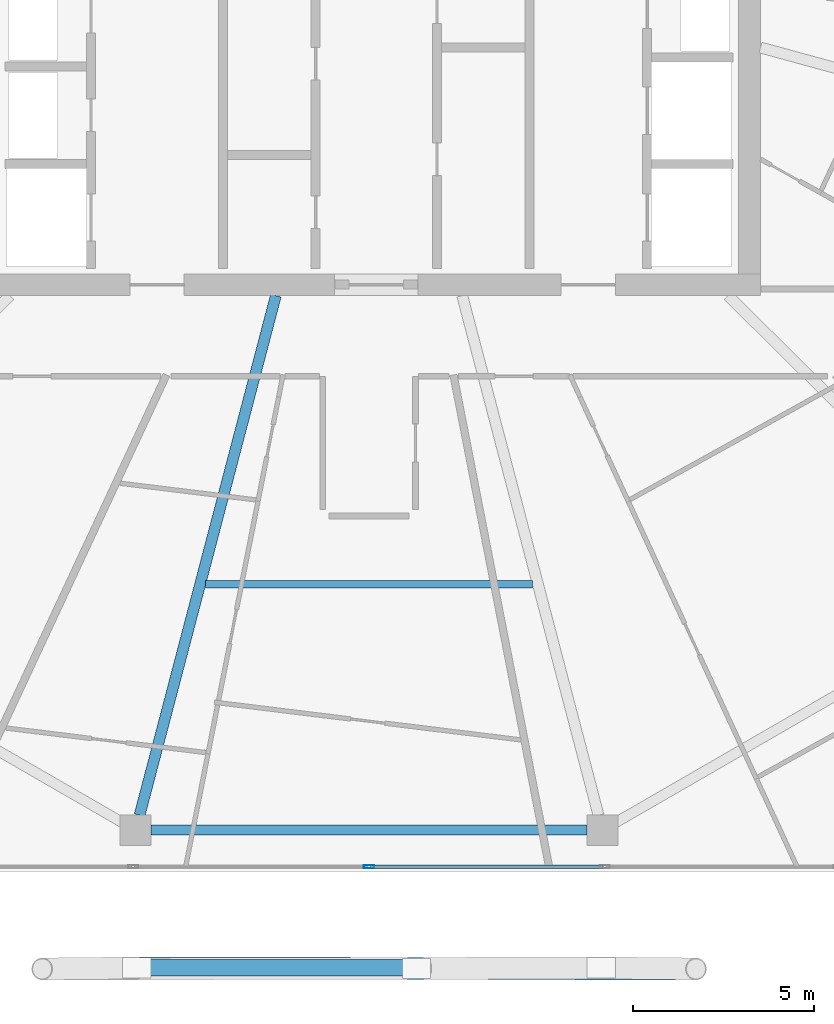
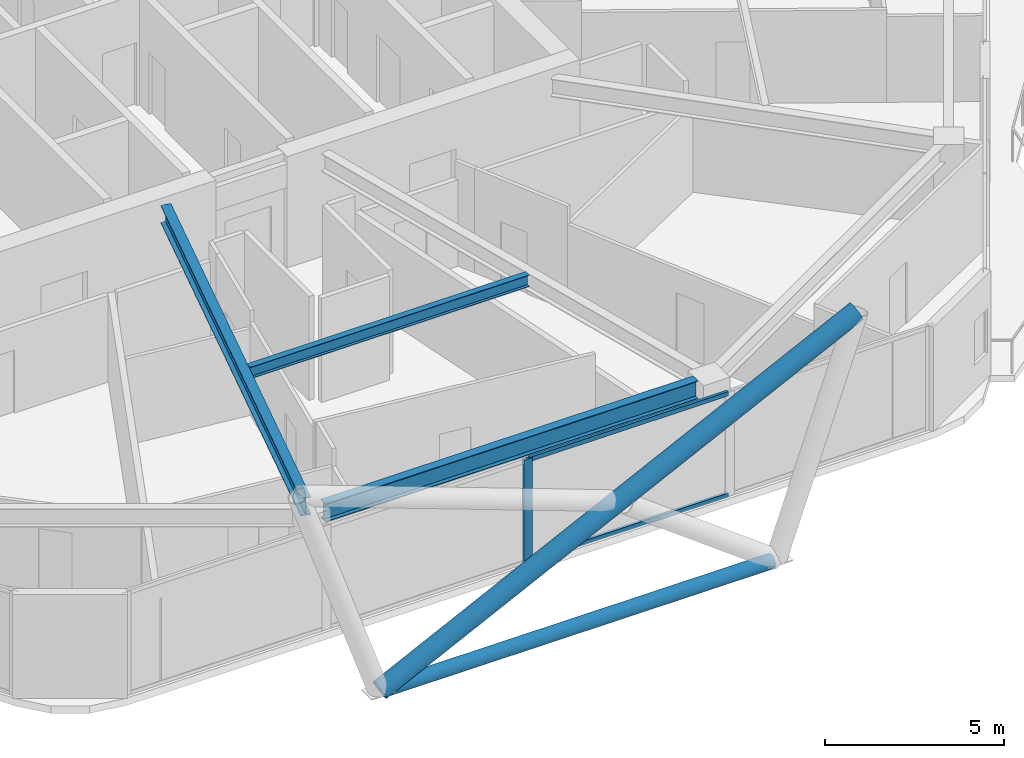
# One storey, part 4 of 29: 5 members, 3 beams, 1 element without a shape of its own.
"""IFC4 building model written with IfcOpenShell, lengths in metres."""

from ifc_helpers import new_model, si_unit, direction, frame, origin, origin_2d, place, context, subcontext, project, spatial, hollow_rectangle, hollow_circle, i_section, extrude, material, material_profile, profile_set, type_object, element, aggregate, save


model = new_model("IFC4")

# Units and contexts
model_context = context("Model", 3, precision=1e-05, world=origin(), true_north=direction((0.0, 1.0)))
body_context = subcontext(model_context, "Body", "Model", "MODEL_VIEW")
ifc_project = project(units=[si_unit("LENGTHUNIT", "METRE"), si_unit("AREAUNIT", "SQUARE_METRE"), si_unit("VOLUMEUNIT", "CUBIC_METRE"), si_unit("PLANEANGLEUNIT", "RADIAN"), si_unit("MASSUNIT", "GRAM", prefix="KILO")], contexts=[model_context])

# Site, building, storey
site_placement = place(None, origin())
site = spatial("IfcSite", under=ifc_project, at=site_placement, CompositionType="ELEMENT")
building_placement = place(site_placement, origin())
building = spatial("IfcBuilding", under=site, at=building_placement, Name="Zuhravey Tower", CompositionType="ELEMENT")
storey_placement = place(building_placement, frame((0.0, 0.0, 269.199951171875)))
storey = spatial("IfcBuildingStorey", under=building, at=storey_placement, Name="L68", CompositionType="ELEMENT", Elevation=269.199951171875)

# Curtain wall, members
ifc_material_1 = material(Name="Thermally broken anodised aluminium", Category="aluminium")
curtain_wall_type = type_object("IfcCurtainWallType", Name="Zone 3-4 High-Rise Curtain Wall CW4", PredefinedType="NOTDEFINED", material=ifc_material_1)
curtain_wall_placement = place(storey_placement, origin())
curtain_wall = element("IfcCurtainWall", 1, at=curtain_wall_placement, inside=storey, type_object=curtain_wall_type, Name="L68 CW4 CW-L68-F5-1", PredefinedType="NOTDEFINED")
ifc_material_2 = material(Name="Anodised aluminium", Category="aluminium")
ifc_material_profile_1 = material_profile(ifc_material_2, hollow_rectangle(XDim=0.090087890625, YDim=0.284912109375, WallThickness=0.0048828125, at=origin_2d()), Name="ALU-RHS-90x285x5")
ifc_profile_set_1 = profile_set([ifc_material_profile_1], Name="Anodised aluminium")
member_type_1 = type_object("IfcMemberType", Name="Curtain-Wall Mullion 90x180", PredefinedType="MULLION", material=ifc_profile_set_1)
member_1_placement = place(storey_placement, frame((36.0, 6.436279296875, 0.0), z_axis=(0.0, 0.0, 1.0), x_axis=(0.0, -1.0, 0.0)))
member_1 = element("IfcMember", 2, at=member_1_placement, type_object=member_type_1, Name="CW4 mullion 3", PredefinedType="MULLION", context=body_context, shape_type="SweptSolid", body=[
    extrude(hollow_rectangle(XDim=0.090087890625, YDim=0.284912109375, WallThickness=0.0048828125, at=origin_2d()), origin(), (0.0, 0.0, 1.0), 3.550048828125),
])
ifc_material_profile_2 = material_profile(ifc_material_2, hollow_rectangle(XDim=0.090087890625, YDim=0.14990234375, WallThickness=0.0048828125, at=origin_2d()), Name="ALU-RHS-90x150x5")
ifc_profile_set_2 = profile_set([ifc_material_profile_2], Name="Anodised aluminium")
member_type_2 = type_object("IfcMemberType", Name="Curtain-Wall Transom 90x150", PredefinedType="USERDEFINED", material=ifc_profile_set_2)
member_2_placement = place(storey_placement, frame((42.46142578125, 6.436279296875, 0.045166015625), z_axis=(-1.0, 0.0, 0.0), x_axis=(0.0, -1.0, 0.0)))
member_2 = element("IfcMember", 3, at=member_2_placement, type_object=member_type_2, Name="CW4 transom 2.1", ObjectType="TRANSOM", PredefinedType="USERDEFINED", context=body_context, shape_type="SweptSolid", body=[
    extrude(hollow_rectangle(XDim=0.090087890625, YDim=0.14990234375, WallThickness=0.0048828125, at=origin_2d()), origin(), (0.0, 0.0, 1.0), 6.41650390625),
])
member_3_placement = place(storey_placement, frame((42.46142578125, 6.436279296875, 3.505126953125), z_axis=(-1.0, 0.0, 0.0), x_axis=(0.0, -1.0, 0.0)))
member_3 = element("IfcMember", 4, at=member_3_placement, type_object=member_type_2, Name="CW4 transom 2.2", ObjectType="TRANSOM", PredefinedType="USERDEFINED", context=body_context, shape_type="SweptSolid", body=[
    extrude(hollow_rectangle(XDim=0.090087890625, YDim=0.14990234375, WallThickness=0.0048828125, at=origin_2d()), origin(), (0.0, 0.0, 1.0), 6.41650390625),
])
aggregate(curtain_wall, [member_1, member_2, member_3])

# Members
ifc_material_3 = material(Name="Steel SM355", Category="steel")
ifc_material_profile_3 = material_profile(ifc_material_3, hollow_circle(Radius=0.228515625, WallThickness=0.02197265625, at=origin_2d()), Name="CHS-457.2x22")
ifc_profile_set_3 = profile_set([ifc_material_profile_3], Name="Steel SM355")
member_type_3 = type_object("IfcMemberType", Name="Exoskeleton Ring Tie CHS457x22", PredefinedType="CHORD", material=ifc_profile_set_3)
member_4_placement = place(storey_placement, frame((29.732421875, 3.646484375, -0.4638671875), z_axis=(1.0, 0.0, 0.0), x_axis=(0.0, 1.0, 0.0)))
element("IfcMember", 5, at=member_4_placement, inside=storey, type_object=member_type_3, Name="L68 Exoskeleton Face 5 Tie EXR1", PredefinedType="CHORD", context=body_context, shape_type="SweptSolid", body=[
    extrude(hollow_circle(Radius=0.228515625, WallThickness=0.02197265625, at=origin_2d()), origin(), (0.0, 0.0, 1.0), 12.53515625),
])
ifc_material_profile_4 = material_profile(ifc_material_3, hollow_circle(Radius=0.3046875, WallThickness=0.028076171875, at=origin_2d()), Name="CHS-609.6x28")
ifc_profile_set_4 = profile_set([ifc_material_profile_4], Name="Steel SM355")
member_type_4 = type_object("IfcMemberType", Name="Exoskeleton Zone 3 Diagrid CHS610x28", PredefinedType="BRACE", material=ifc_profile_set_4)
member_5_placement = place(storey_placement, frame((29.62890625, 3.646240234375, -0.446044921875), z_axis=(0.897154803853, -0.00173930757, 0.441712839673), x_axis=(0.001938689169, 0.99999812074, 0.0)))
element("IfcMember", 6, at=member_5_placement, inside=storey, type_object=member_type_4, Name="L68 Face 5 Diagrid Brace 2", PredefinedType="BRACE", context=body_context, shape_type="SweptSolid", body=[
    extrude(hollow_circle(Radius=0.3046875, WallThickness=0.028076171875, at=origin_2d()), origin(), (0.0, 0.0, 1.0), 17.124755859375),
])

# Beams
ifc_material_profile_5 = material_profile(ifc_material_3, i_section(OverallWidth=0.280029296875, OverallDepth=0.6201171875, WebThickness=0.011962890625, FlangeThickness=0.02001953125, at=origin_2d()), Name="H-620x280x12x20")
ifc_profile_set_5 = profile_set([ifc_material_profile_5], Name="Steel SM355")
beam_type_1 = type_object("IfcBeamType", Name="Perimeter Ring Beam H620x280", PredefinedType="BEAM", material=ifc_profile_set_5)
beam_1_placement = place(storey_placement, frame((29.987060546875, 7.4462890625, 3.239990234375), z_axis=(1.0, 0.0, 0.0), x_axis=(0.0, 1.0, 0.0)))
element("IfcBeam", 7, at=beam_1_placement, inside=storey, type_object=beam_type_1, Name="L68 PB3 BM-L68-PB-09", PredefinedType="BEAM", context=body_context, shape_type="SweptSolid", body=[
    extrude(i_section(OverallWidth=0.280029296875, OverallDepth=0.6201171875, WebThickness=0.011962890625, FlangeThickness=0.02001953125, at=origin_2d()), origin(), (0.0, 0.0, 1.0), 12.02587890625),
])
ifc_material_profile_6 = material_profile(ifc_material_3, i_section(OverallWidth=0.300048828125, OverallDepth=0.60009765625, WebThickness=0.011962890625, FlangeThickness=0.02001953125, at=origin_2d()), Name="H-600x300x12x20")
ifc_profile_set_6 = profile_set([ifc_material_profile_6], Name="Steel SM355")
beam_type_2 = type_object("IfcBeamType", Name="Radial Primary Girder H600x300", PredefinedType="BEAM", material=ifc_profile_set_6)
beam_2_placement = place(storey_placement, frame((33.428466796875, 22.197021484375, 3.25), z_axis=(-0.25373188956, -0.967274587809, 0.0), x_axis=(0.967274587809, -0.25373188956, 0.0)))
element("IfcBeam", 8, at=beam_2_placement, inside=storey, type_object=beam_type_2, Name="L68 RG3 BM-L68-RAD-09", PredefinedType="BEAM", context=body_context, shape_type="SweptSolid", body=[
    extrude(i_section(OverallWidth=0.300048828125, OverallDepth=0.60009765625, WebThickness=0.011962890625, FlangeThickness=0.02001953125, at=origin_2d()), origin(), (0.0, 0.0, 1.0), 14.82177734375),
])
ifc_material_profile_7 = material_profile(ifc_material_3, i_section(OverallWidth=0.199951171875, OverallDepth=0.39990234375, WebThickness=0.008056640625, FlangeThickness=0.012939453125, at=origin_2d()), Name="H-400x200x8x13")
ifc_profile_set_7 = profile_set([ifc_material_profile_7], Name="Steel SM355")
beam_type_3 = type_object("IfcBeamType", Name="Secondary Floor Joist H400x200", PredefinedType="JOIST", material=ifc_profile_set_7)
beam_3_placement = place(storey_placement, frame((31.492919921875, 14.231689453125, 3.35009765625), z_axis=(1.0, 0.0, 0.0), x_axis=(0.0, 1.0, 0.0)))
element("IfcBeam", 9, at=beam_3_placement, inside=storey, type_object=beam_type_3, Name="L68 SJ2 BM-L68-SJ-09-1", PredefinedType="JOIST", context=body_context, shape_type="SweptSolid", body=[
    extrude(i_section(OverallWidth=0.199951171875, OverallDepth=0.39990234375, WebThickness=0.008056640625, FlangeThickness=0.012939453125, at=origin_2d()), origin(), (0.0, 0.0, 1.0), 9.01416015625),
])

save(model, "model.ifc")
